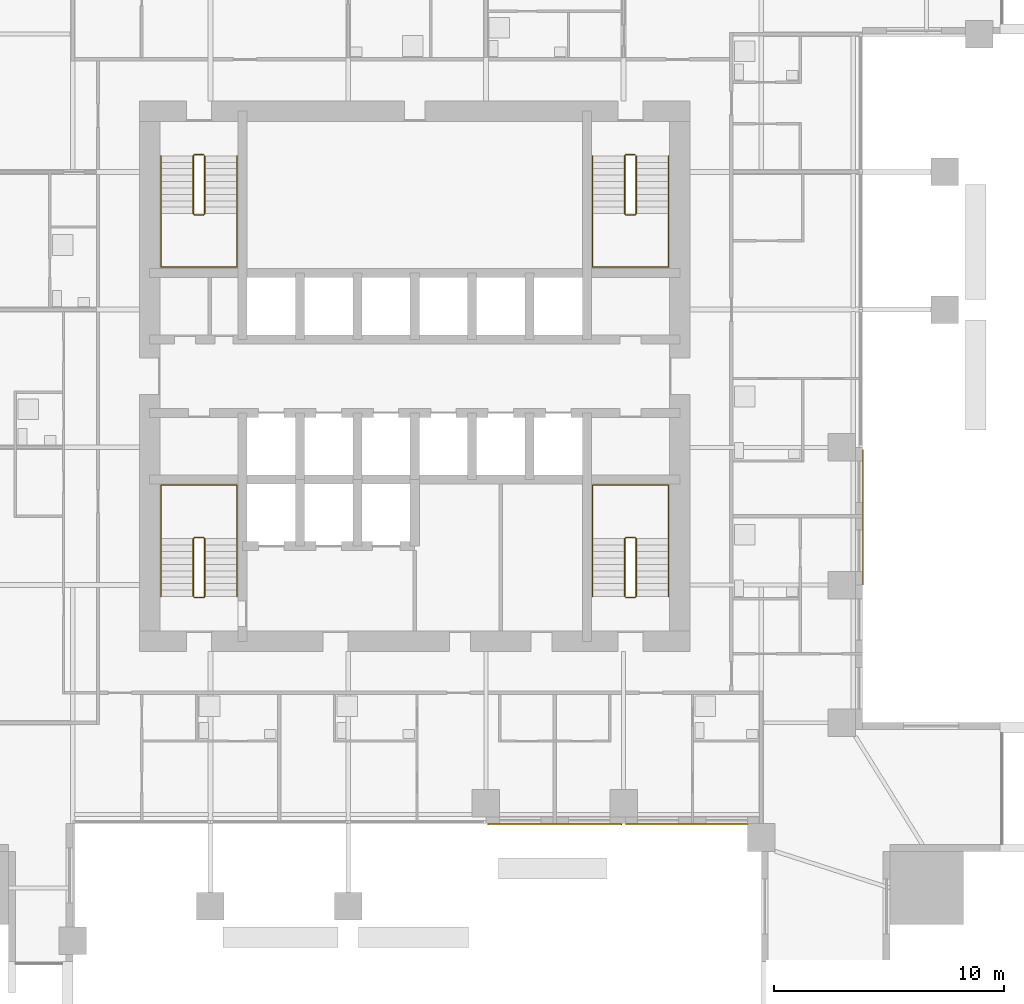
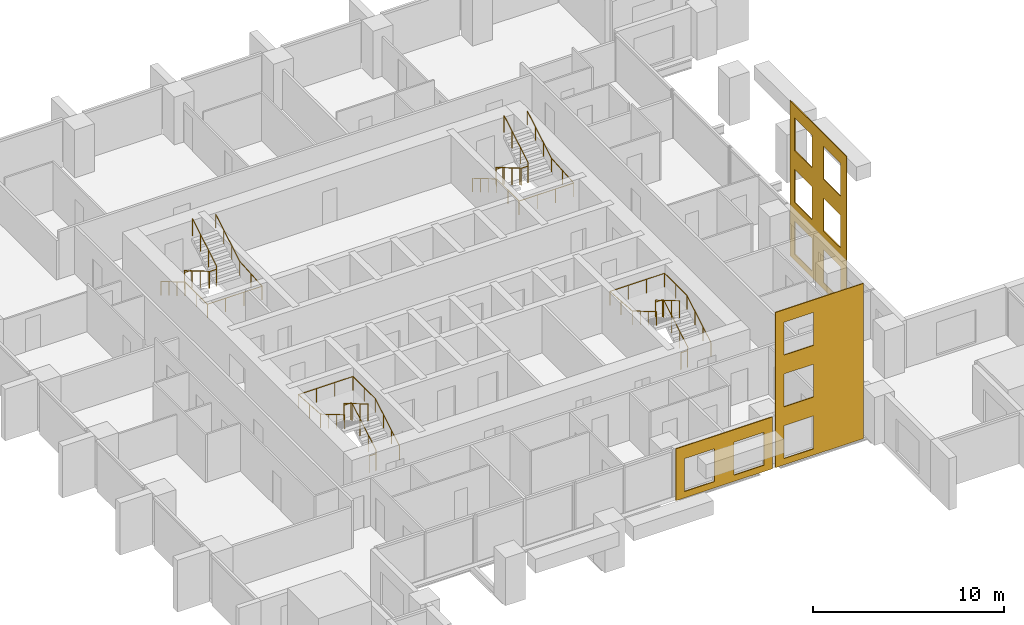
# One storey, part 12 of 13: 8 railings, 3 coverings.
"""IFC4 building model written with IfcOpenShell, lengths in metres."""

from ifc_helpers import new_model, si_unit, direction, frame, origin, origin_2d, place, context, subcontext, project, spatial, polyline, circle, outline, extrude, material, layer, layer_set, type_object, element, save


model = new_model("IFC4")

# Units and contexts
model_context = context("Model", 3, precision=1e-05, world=origin(), true_north=direction((0.0, 1.0)))
body_context = subcontext(model_context, "Body", "Model", "MODEL_VIEW")
ifc_project = project(units=[si_unit("LENGTHUNIT", "METRE"), si_unit("AREAUNIT", "SQUARE_METRE"), si_unit("VOLUMEUNIT", "CUBIC_METRE"), si_unit("PLANEANGLEUNIT", "RADIAN"), si_unit("MASSUNIT", "GRAM", prefix="KILO")], contexts=[model_context])

# Site, building, storey
site_placement = place(None, origin())
site = spatial("IfcSite", under=ifc_project, at=site_placement, CompositionType="ELEMENT")
building_placement = place(site_placement, origin())
building = spatial("IfcBuilding", under=site, at=building_placement, Name="Amberfall Residences", CompositionType="ELEMENT")
storey_placement = place(building_placement, frame((0.0, 0.0, 56.5)))
storey = spatial("IfcBuildingStorey", under=building, at=storey_placement, Name="L15", CompositionType="ELEMENT", Elevation=56.5)

# Coverings
ifc_material_1 = material(Name="Pale limestone cladding", Category="masonry")
ifc_layer = layer(ifc_material_1, 0.050048828125)
ifc_layer_set = layer_set([ifc_layer], Name="Limestone fascia 50")
covering_type = type_object("IfcCoveringType", Name="Limestone fascia 50", PredefinedType="CLADDING", material=ifc_layer_set)
covering_1_placement = place(storey_placement, frame((77.68994140625, 26.0, 3.050048828125), z_axis=(0.0, 1.0, 0.0), x_axis=(1.0, 0.0, 0.0)))
element("IfcCovering", 1, at=covering_1_placement, inside=storey, type_object=covering_type, Name="Pale limestone cladding L15 S", PredefinedType="CLADDING", context=body_context, shape_type="SweptSolid", body=[
    extrude(outline(polyline([(0.0, 0.0), (5.820068359375, 0.0), (5.820068359375, 3.300048828125), (0.0, 3.300048828125), (0.0, 0.0)]), holes=[polyline([(0.510009765625, 0.800048828125), (2.31005859375, 0.800048828125), (2.31005859375, 2.900146484375), (0.510009765625, 2.900146484375), (0.510009765625, 0.800048828125)]), polyline([(3.510009765625, 0.800048828125), (5.31005859375, 0.800048828125), (5.31005859375, 2.900146484375), (3.510009765625, 2.900146484375), (3.510009765625, 0.800048828125)])]), origin(), (0.0, 0.0, -1.0), 0.050048828125),
])
covering_2_placement = place(storey_placement, frame((94.0, 36.39990234375, 9.64990234375), z_axis=(-1.0, 0.0, 0.0), x_axis=(0.0, 1.0, 0.0)))
element("IfcCovering", 2, at=covering_2_placement, inside=storey, type_object=covering_type, Name="Pale limestone cladding L15-L17 E", PredefinedType="CLADDING", context=body_context, shape_type="SweptSolid", body=[
    extrude(outline(polyline([(0.0, 0.0), (5.91015625, 0.0), (5.91015625, 9.89990234375), (0.0, 9.89990234375), (0.0, 0.0)]), holes=[polyline([(0.60009765625, 7.39990234375), (2.400146484375, 7.39990234375), (2.400146484375, 9.5), (0.60009765625, 9.5), (0.60009765625, 7.39990234375)]), polyline([(3.60009765625, 7.39990234375), (5.400146484375, 7.39990234375), (5.400146484375, 9.5), (3.60009765625, 9.5), (3.60009765625, 7.39990234375)]), polyline([(0.60009765625, 4.099853515625), (2.400146484375, 4.099853515625), (2.400146484375, 6.199951171875), (0.60009765625, 6.199951171875), (0.60009765625, 4.099853515625)]), polyline([(3.60009765625, 4.099853515625), (5.400146484375, 4.099853515625), (5.400146484375, 6.199951171875), (3.60009765625, 6.199951171875), (3.60009765625, 4.099853515625)]), polyline([(0.60009765625, 0.7998046875), (2.400146484375, 0.7998046875), (2.400146484375, 2.89990234375), (0.60009765625, 2.89990234375), (0.60009765625, 0.7998046875)]), polyline([(3.60009765625, 0.7998046875), (5.400146484375, 0.7998046875), (5.400146484375, 2.89990234375), (3.60009765625, 2.89990234375), (3.60009765625, 0.7998046875)])]), origin(), (0.0, 0.0, -1.0), 0.050048828125),
])
covering_3_placement = place(storey_placement, frame((83.68994140625, 26.0, 9.64990234375), z_axis=(0.0, 1.0, 0.0), x_axis=(1.0, 0.0, 0.0)))
element("IfcCovering", 3, at=covering_3_placement, inside=storey, type_object=covering_type, Name="Pale limestone cladding L15-L17 S", PredefinedType="CLADDING", context=body_context, shape_type="SweptSolid", body=[
    extrude(outline(polyline([(0.0, 0.0), (5.30810546875, 0.0), (5.30810546875, 9.89990234375), (0.0, 9.89990234375), (0.0, 0.0)]), holes=[polyline([(0.510009765625, 7.39990234375), (2.31005859375, 7.39990234375), (2.31005859375, 9.5), (0.510009765625, 9.5), (0.510009765625, 7.39990234375)]), polyline([(0.510009765625, 4.099853515625), (2.31005859375, 4.099853515625), (2.31005859375, 6.199951171875), (0.510009765625, 6.199951171875), (0.510009765625, 4.099853515625)]), polyline([(0.510009765625, 0.7998046875), (2.31005859375, 0.7998046875), (2.31005859375, 2.89990234375), (0.510009765625, 2.89990234375), (0.510009765625, 0.7998046875)])]), origin(), (0.0, 0.0, -1.0), 0.050048828125),
])

# Railings
ifc_material_2 = material(Name="Stainless steel 316", Category="steel")
railing_type_1 = type_object("IfcRailingType", Name="Stair guard 1100", PredefinedType="GUARDRAIL", material=ifc_material_2)
railing_1_placement = place(storey_placement, frame((64.89990234375, 35.85009765625, 0.0)))
element("IfcRailing", 4, at=railing_1_placement, inside=storey, type_object=railing_type_1, Name="L15 stair 1 guard", PredefinedType="GUARDRAIL", context=body_context, shape_type="SweptSolid", body=[
    extrude(circle(Radius=0.02392578125, at=origin_2d()), frame((0.0, 0.0, 1.076171875), z_axis=(1.0, 0.0, 0.0), x_axis=(0.0, 1.0, 0.0)), (0.0, 0.0, 1.0), 0.400146484375),
    extrude(circle(Radius=0.02392578125, at=origin_2d()), frame((0.400146484375, 0.0, 1.076171875), z_axis=(0.278810427259, 0.277450376394, 0.919394384522), x_axis=(-0.705375805398, 0.708833529934, 0.0)), (0.0, 0.0, 1.0), 0.179443359375),
    extrude(circle(Radius=0.02392578125, at=origin_2d()), frame((0.4501953125, 0.0498046875, 1.2412109375), z_axis=(0.0, 0.861560626758, 0.507654692109), x_axis=(-1.0, 0.0, 0.0)), (0.0, 0.0, 1.0), 2.925048828125),
    extrude(circle(Radius=0.02392578125, at=origin_2d()), frame((0.4501953125, 2.56982421875, 2.72607421875), z_axis=(-0.707106781187, 0.707106781187, 0.0), x_axis=(-0.707106781187, -0.707106781187, 0.0)), (0.0, 0.0, 1.0), 0.07080078125),
    extrude(circle(Radius=0.02392578125, at=origin_2d()), frame((0.400146484375, 2.619873046875, 2.72607421875), z_axis=(-1.0, 0.0, 0.0), x_axis=(0.0, -1.0, 0.0)), (0.0, 0.0, 1.0), 0.400146484375),
    extrude(circle(Radius=0.02392578125, at=origin_2d()), frame((0.0, 2.619873046875, 2.72607421875), z_axis=(-0.277450376394, -0.278810427259, 0.919394384522), x_axis=(0.708833529934, -0.705375805398, 0.0)), (0.0, 0.0, 1.0), 0.179443359375),
    extrude(circle(Radius=0.02392578125, at=origin_2d()), frame((-0.0498046875, 2.56982421875, 2.89111328125), z_axis=(0.0, -0.86152411907, 0.507716645641), x_axis=(1.0, 0.0, 0.0)), (0.0, 0.0, 1.0), 2.925048828125),
    extrude(circle(Radius=0.02099609375, at=origin_2d()), origin(), (0.0, 0.0, 1.0), 1.052001953125),
    extrude(circle(Radius=0.02099609375, at=origin_2d()), frame((0.400146484375, 0.0, 0.0)), (0.0, 0.0, 1.0), 1.052001953125),
    extrude(circle(Radius=0.02099609375, at=origin_2d()), frame((0.4501953125, 0.0498046875, 0.1650390625)), (0.0, 0.0, 1.0), 1.052001953125),
    extrude(circle(Radius=0.02099609375, at=origin_2d()), frame((0.4501953125, 0.889892578125, 0.659912109375)), (0.0, 0.0, 1.0), 1.052001953125),
    extrude(circle(Radius=0.02099609375, at=origin_2d()), frame((0.4501953125, 1.729736328125, 1.155029296875)), (0.0, 0.0, 1.0), 1.052001953125),
    extrude(circle(Radius=0.02099609375, at=origin_2d()), frame((0.4501953125, 2.56982421875, 1.64990234375)), (0.0, 0.0, 1.0), 1.052001953125),
    extrude(circle(Radius=0.02099609375, at=origin_2d()), frame((0.400146484375, 2.619873046875, 1.64990234375)), (0.0, 0.0, 1.0), 1.052001953125),
    extrude(circle(Radius=0.02099609375, at=origin_2d()), frame((0.0, 2.619873046875, 1.64990234375)), (0.0, 0.0, 1.0), 1.052001953125),
    extrude(circle(Radius=0.02099609375, at=origin_2d()), frame((-0.0498046875, 2.56982421875, 1.81494140625)), (0.0, 0.0, 1.0), 1.052001953125),
    extrude(circle(Radius=0.02099609375, at=origin_2d()), frame((-0.0498046875, 1.729736328125, 2.31005859375)), (0.0, 0.0, 1.0), 1.052001953125),
    extrude(circle(Radius=0.02099609375, at=origin_2d()), frame((-0.0498046875, 0.889892578125, 2.804931640625)), (0.0, 0.0, 1.0), 1.052001953125),
    extrude(circle(Radius=0.02099609375, at=origin_2d()), frame((-0.0498046875, 0.0498046875, 3.300048828125)), (0.0, 0.0, 1.0), 1.052001953125),
])
railing_2_placement = place(storey_placement, frame((83.699951171875, 35.85009765625, 0.0)))
element("IfcRailing", 5, at=railing_2_placement, inside=storey, type_object=railing_type_1, Name="L15 stair 2 guard", PredefinedType="GUARDRAIL", context=body_context, shape_type="SweptSolid", body=[
    extrude(circle(Radius=0.02392578125, at=origin_2d()), frame((0.0, 0.0, 1.076171875), z_axis=(1.0, 0.0, 0.0), x_axis=(0.0, 1.0, 0.0)), (0.0, 0.0, 1.0), 0.400146484375),
    extrude(circle(Radius=0.02392578125, at=origin_2d()), frame((0.400146484375, 0.0, 1.076171875), z_axis=(0.27755538755, 0.27755538755, 0.919742362667), x_axis=(-0.707106781187, 0.707106781187, 0.0)), (0.0, 0.0, 1.0), 0.179443359375),
    extrude(circle(Radius=0.02392578125, at=origin_2d()), frame((0.449951171875, 0.0498046875, 1.2412109375), z_axis=(0.0, 0.861560626758, 0.507654692109), x_axis=(-1.0, 0.0, 0.0)), (0.0, 0.0, 1.0), 2.925048828125),
    extrude(circle(Radius=0.02392578125, at=origin_2d()), frame((0.449951171875, 2.56982421875, 2.72607421875), z_axis=(-0.705375805398, 0.708833529934, 0.0), x_axis=(-0.708833529934, -0.705375805398, 0.0)), (0.0, 0.0, 1.0), 0.070556640625),
    extrude(circle(Radius=0.02392578125, at=origin_2d()), frame((0.400146484375, 2.619873046875, 2.72607421875), z_axis=(-1.0, 0.0, 0.0), x_axis=(0.0, -1.0, 0.0)), (0.0, 0.0, 1.0), 0.400146484375),
    extrude(circle(Radius=0.02392578125, at=origin_2d()), frame((0.0, 2.619873046875, 2.72607421875), z_axis=(-0.278705021027, -0.278705021027, 0.919046801044), x_axis=(0.707106781187, -0.707106781187, 0.0)), (0.0, 0.0, 1.0), 0.1796875),
    extrude(circle(Radius=0.02392578125, at=origin_2d()), frame((-0.050048828125, 2.56982421875, 2.89111328125), z_axis=(0.0, -0.86152411907, 0.507716645641), x_axis=(1.0, 0.0, 0.0)), (0.0, 0.0, 1.0), 2.925048828125),
    extrude(circle(Radius=0.02099609375, at=origin_2d()), origin(), (0.0, 0.0, 1.0), 1.052001953125),
    extrude(circle(Radius=0.02099609375, at=origin_2d()), frame((0.400146484375, 0.0, 0.0)), (0.0, 0.0, 1.0), 1.052001953125),
    extrude(circle(Radius=0.02099609375, at=origin_2d()), frame((0.449951171875, 0.0498046875, 0.1650390625)), (0.0, 0.0, 1.0), 1.052001953125),
    extrude(circle(Radius=0.02099609375, at=origin_2d()), frame((0.449951171875, 0.889892578125, 0.659912109375)), (0.0, 0.0, 1.0), 1.052001953125),
    extrude(circle(Radius=0.02099609375, at=origin_2d()), frame((0.449951171875, 1.729736328125, 1.155029296875)), (0.0, 0.0, 1.0), 1.052001953125),
    extrude(circle(Radius=0.02099609375, at=origin_2d()), frame((0.449951171875, 2.56982421875, 1.64990234375)), (0.0, 0.0, 1.0), 1.052001953125),
    extrude(circle(Radius=0.02099609375, at=origin_2d()), frame((0.400146484375, 2.619873046875, 1.64990234375)), (0.0, 0.0, 1.0), 1.052001953125),
    extrude(circle(Radius=0.02099609375, at=origin_2d()), frame((0.0, 2.619873046875, 1.64990234375)), (0.0, 0.0, 1.0), 1.052001953125),
    extrude(circle(Radius=0.02099609375, at=origin_2d()), frame((-0.050048828125, 2.56982421875, 1.81494140625)), (0.0, 0.0, 1.0), 1.052001953125),
    extrude(circle(Radius=0.02099609375, at=origin_2d()), frame((-0.050048828125, 1.729736328125, 2.31005859375)), (0.0, 0.0, 1.0), 1.052001953125),
    extrude(circle(Radius=0.02099609375, at=origin_2d()), frame((-0.050048828125, 0.889892578125, 2.804931640625)), (0.0, 0.0, 1.0), 1.052001953125),
    extrude(circle(Radius=0.02099609375, at=origin_2d()), frame((-0.050048828125, 0.0498046875, 3.300048828125)), (0.0, 0.0, 1.0), 1.052001953125),
])
railing_3_placement = place(storey_placement, frame((84.10009765625, 55.14990234375, 0.0)))
element("IfcRailing", 6, at=railing_3_placement, inside=storey, type_object=railing_type_1, Name="L15 stair 3 guard", PredefinedType="GUARDRAIL", context=body_context, shape_type="SweptSolid", body=[
    extrude(circle(Radius=0.02392578125, at=origin_2d()), frame((0.0, 0.0, 1.076171875), z_axis=(-1.0, 0.0, 0.0), x_axis=(0.0, -1.0, 0.0)), (0.0, 0.0, 1.0), 0.400146484375),
    extrude(circle(Radius=0.02392578125, at=origin_2d()), frame((-0.400146484375, 0.0, 1.076171875), z_axis=(-0.278810427259, -0.277450376394, 0.919394384522), x_axis=(0.705375805398, -0.708833529934, 0.0)), (0.0, 0.0, 1.0), 0.179443359375),
    extrude(circle(Radius=0.02392578125, at=origin_2d()), frame((-0.4501953125, -0.0498046875, 1.2412109375), z_axis=(0.0, -0.861560626758, 0.507654692109), x_axis=(1.0, 0.0, 0.0)), (0.0, 0.0, 1.0), 2.925048828125),
    extrude(circle(Radius=0.02392578125, at=origin_2d()), frame((-0.4501953125, -2.56982421875, 2.72607421875), z_axis=(0.707106781187, -0.707106781187, 0.0), x_axis=(0.707106781187, 0.707106781187, 0.0)), (0.0, 0.0, 1.0), 0.07080078125),
    extrude(circle(Radius=0.02392578125, at=origin_2d()), frame((-0.400146484375, -2.619873046875, 2.72607421875), z_axis=(1.0, 0.0, 0.0), x_axis=(0.0, 1.0, 0.0)), (0.0, 0.0, 1.0), 0.400146484375),
    extrude(circle(Radius=0.02392578125, at=origin_2d()), frame((0.0, -2.619873046875, 2.72607421875), z_axis=(0.277450376394, 0.278810427259, 0.919394384522), x_axis=(-0.708833529934, 0.705375805398, 0.0)), (0.0, 0.0, 1.0), 0.179443359375),
    extrude(circle(Radius=0.02392578125, at=origin_2d()), frame((0.0498046875, -2.56982421875, 2.89111328125), z_axis=(0.0, 0.86152411907, 0.507716645641), x_axis=(-1.0, 0.0, 0.0)), (0.0, 0.0, 1.0), 2.925048828125),
    extrude(circle(Radius=0.02099609375, at=origin_2d()), origin(), (0.0, 0.0, 1.0), 1.052001953125),
    extrude(circle(Radius=0.02099609375, at=origin_2d()), frame((-0.400146484375, 0.0, 0.0)), (0.0, 0.0, 1.0), 1.052001953125),
    extrude(circle(Radius=0.02099609375, at=origin_2d()), frame((-0.4501953125, -0.0498046875, 0.1650390625)), (0.0, 0.0, 1.0), 1.052001953125),
    extrude(circle(Radius=0.02099609375, at=origin_2d()), frame((-0.4501953125, -0.889892578125, 0.659912109375)), (0.0, 0.0, 1.0), 1.052001953125),
    extrude(circle(Radius=0.02099609375, at=origin_2d()), frame((-0.4501953125, -1.729736328125, 1.155029296875)), (0.0, 0.0, 1.0), 1.052001953125),
    extrude(circle(Radius=0.02099609375, at=origin_2d()), frame((-0.4501953125, -2.56982421875, 1.64990234375)), (0.0, 0.0, 1.0), 1.052001953125),
    extrude(circle(Radius=0.02099609375, at=origin_2d()), frame((-0.400146484375, -2.619873046875, 1.64990234375)), (0.0, 0.0, 1.0), 1.052001953125),
    extrude(circle(Radius=0.02099609375, at=origin_2d()), frame((0.0, -2.619873046875, 1.64990234375)), (0.0, 0.0, 1.0), 1.052001953125),
    extrude(circle(Radius=0.02099609375, at=origin_2d()), frame((0.0498046875, -2.56982421875, 1.81494140625)), (0.0, 0.0, 1.0), 1.052001953125),
    extrude(circle(Radius=0.02099609375, at=origin_2d()), frame((0.0498046875, -1.729736328125, 2.31005859375)), (0.0, 0.0, 1.0), 1.052001953125),
    extrude(circle(Radius=0.02099609375, at=origin_2d()), frame((0.0498046875, -0.889892578125, 2.804931640625)), (0.0, 0.0, 1.0), 1.052001953125),
    extrude(circle(Radius=0.02099609375, at=origin_2d()), frame((0.0498046875, -0.0498046875, 3.300048828125)), (0.0, 0.0, 1.0), 1.052001953125),
])
railing_4_placement = place(storey_placement, frame((65.300048828125, 55.14990234375, 0.0)))
element("IfcRailing", 7, at=railing_4_placement, inside=storey, type_object=railing_type_1, Name="L15 stair 4 guard", PredefinedType="GUARDRAIL", context=body_context, shape_type="SweptSolid", body=[
    extrude(circle(Radius=0.02392578125, at=origin_2d()), frame((0.0, 0.0, 1.076171875), z_axis=(-1.0, 0.0, 0.0), x_axis=(0.0, -1.0, 0.0)), (0.0, 0.0, 1.0), 0.400146484375),
    extrude(circle(Radius=0.02392578125, at=origin_2d()), frame((-0.400146484375, 0.0, 1.076171875), z_axis=(-0.27755538755, -0.27755538755, 0.919742362667), x_axis=(0.707106781187, -0.707106781187, 0.0)), (0.0, 0.0, 1.0), 0.179443359375),
    extrude(circle(Radius=0.02392578125, at=origin_2d()), frame((-0.449951171875, -0.0498046875, 1.2412109375), z_axis=(0.0, -0.861560626758, 0.507654692109), x_axis=(1.0, 0.0, 0.0)), (0.0, 0.0, 1.0), 2.925048828125),
    extrude(circle(Radius=0.02392578125, at=origin_2d()), frame((-0.449951171875, -2.56982421875, 2.72607421875), z_axis=(0.705375805398, -0.708833529934, 0.0), x_axis=(0.708833529934, 0.705375805398, 0.0)), (0.0, 0.0, 1.0), 0.070556640625),
    extrude(circle(Radius=0.02392578125, at=origin_2d()), frame((-0.400146484375, -2.619873046875, 2.72607421875), z_axis=(1.0, 0.0, 0.0), x_axis=(0.0, 1.0, 0.0)), (0.0, 0.0, 1.0), 0.400146484375),
    extrude(circle(Radius=0.02392578125, at=origin_2d()), frame((0.0, -2.619873046875, 2.72607421875), z_axis=(0.278705021027, 0.278705021027, 0.919046801044), x_axis=(-0.707106781187, 0.707106781187, 0.0)), (0.0, 0.0, 1.0), 0.1796875),
    extrude(circle(Radius=0.02392578125, at=origin_2d()), frame((0.050048828125, -2.56982421875, 2.89111328125), z_axis=(0.0, 0.86152411907, 0.507716645641), x_axis=(-1.0, 0.0, 0.0)), (0.0, 0.0, 1.0), 2.925048828125),
    extrude(circle(Radius=0.02099609375, at=origin_2d()), origin(), (0.0, 0.0, 1.0), 1.052001953125),
    extrude(circle(Radius=0.02099609375, at=origin_2d()), frame((-0.400146484375, 0.0, 0.0)), (0.0, 0.0, 1.0), 1.052001953125),
    extrude(circle(Radius=0.02099609375, at=origin_2d()), frame((-0.449951171875, -0.0498046875, 0.1650390625)), (0.0, 0.0, 1.0), 1.052001953125),
    extrude(circle(Radius=0.02099609375, at=origin_2d()), frame((-0.449951171875, -0.889892578125, 0.659912109375)), (0.0, 0.0, 1.0), 1.052001953125),
    extrude(circle(Radius=0.02099609375, at=origin_2d()), frame((-0.449951171875, -1.729736328125, 1.155029296875)), (0.0, 0.0, 1.0), 1.052001953125),
    extrude(circle(Radius=0.02099609375, at=origin_2d()), frame((-0.449951171875, -2.56982421875, 1.64990234375)), (0.0, 0.0, 1.0), 1.052001953125),
    extrude(circle(Radius=0.02099609375, at=origin_2d()), frame((-0.400146484375, -2.619873046875, 1.64990234375)), (0.0, 0.0, 1.0), 1.052001953125),
    extrude(circle(Radius=0.02099609375, at=origin_2d()), frame((0.0, -2.619873046875, 1.64990234375)), (0.0, 0.0, 1.0), 1.052001953125),
    extrude(circle(Radius=0.02099609375, at=origin_2d()), frame((0.050048828125, -2.56982421875, 1.81494140625)), (0.0, 0.0, 1.0), 1.052001953125),
    extrude(circle(Radius=0.02099609375, at=origin_2d()), frame((0.050048828125, -1.729736328125, 2.31005859375)), (0.0, 0.0, 1.0), 1.052001953125),
    extrude(circle(Radius=0.02099609375, at=origin_2d()), frame((0.050048828125, -0.889892578125, 2.804931640625)), (0.0, 0.0, 1.0), 1.052001953125),
    extrude(circle(Radius=0.02099609375, at=origin_2d()), frame((0.050048828125, -0.0498046875, 3.300048828125)), (0.0, 0.0, 1.0), 1.052001953125),
])
railing_type_2 = type_object("IfcRailingType", Name="Stair handrail 900", PredefinedType="HANDRAIL", material=ifc_material_2)
railing_5_placement = place(storey_placement, frame((66.75, 35.89990234375, 0.1650390625)))
element("IfcRailing", 8, at=railing_5_placement, inside=storey, type_object=railing_type_2, Name="L15 stair 1 handrail", PredefinedType="HANDRAIL", context=body_context, shape_type="SweptSolid", body=[
    extrude(circle(Radius=0.02392578125, at=origin_2d()), frame((0.0, 0.0, 0.8759765625), z_axis=(0.0, 0.861560626758, 0.507654692109), x_axis=(-1.0, 0.0, 0.0)), (0.0, 0.0, 1.0), 2.925048828125),
    extrude(circle(Radius=0.02392578125, at=origin_2d()), frame((0.0, 2.52001953125, 2.36083984375), z_axis=(0.0, 1.0, 0.0), x_axis=(-1.0, 0.0, 0.0)), (0.0, 0.0, 1.0), 2.330078125),
    extrude(circle(Radius=0.02392578125, at=origin_2d()), frame((0.0, 4.85009765625, 2.36083984375), z_axis=(-1.0, 0.0, 0.0), x_axis=(0.0, -1.0, 0.0)), (0.0, 0.0, 1.0), 3.300048828125),
    extrude(circle(Radius=0.02392578125, at=origin_2d()), frame((-3.300048828125, 4.85009765625, 2.36083984375), z_axis=(0.0, -0.997500965899, 0.07065283455), x_axis=(1.0, 0.0, 0.0)), (0.0, 0.0, 1.0), 2.3359375),
    extrude(circle(Radius=0.02392578125, at=origin_2d()), frame((-3.300048828125, 2.52001953125, 2.52587890625), z_axis=(0.0, -0.86152411907, 0.507716645641), x_axis=(1.0, 0.0, 0.0)), (0.0, 0.0, 1.0), 2.925048828125),
    extrude(circle(Radius=0.02099609375, at=origin_2d()), origin(), (0.0, 0.0, 1.0), 0.851806640625),
    extrude(circle(Radius=0.02099609375, at=origin_2d()), frame((0.0, 0.840087890625, 0.494873046875)), (0.0, 0.0, 1.0), 0.851806640625),
    extrude(circle(Radius=0.02099609375, at=origin_2d()), frame((0.0, 1.679931640625, 0.989990234375)), (0.0, 0.0, 1.0), 0.851806640625),
    extrude(circle(Radius=0.02099609375, at=origin_2d()), frame((0.0, 2.52001953125, 1.48486328125)), (0.0, 0.0, 1.0), 0.851806640625),
    extrude(circle(Radius=0.02099609375, at=origin_2d()), frame((0.0, 3.68505859375, 1.48486328125)), (0.0, 0.0, 1.0), 0.851806640625),
    extrude(circle(Radius=0.02099609375, at=origin_2d()), frame((0.0, 4.85009765625, 1.48486328125)), (0.0, 0.0, 1.0), 0.851806640625),
    extrude(circle(Radius=0.02099609375, at=origin_2d()), frame((-1.10009765625, 4.85009765625, 1.48486328125)), (0.0, 0.0, 1.0), 0.851806640625),
    extrude(circle(Radius=0.02099609375, at=origin_2d()), frame((-2.199951171875, 4.85009765625, 1.48486328125)), (0.0, 0.0, 1.0), 0.851806640625),
    extrude(circle(Radius=0.02099609375, at=origin_2d()), frame((-3.300048828125, 4.85009765625, 1.48486328125)), (0.0, 0.0, 1.0), 0.851806640625),
    extrude(circle(Radius=0.02099609375, at=origin_2d()), frame((-3.300048828125, 3.68505859375, 1.5673828125)), (0.0, 0.0, 1.0), 0.851806640625),
    extrude(circle(Radius=0.02099609375, at=origin_2d()), frame((-3.300048828125, 2.52001953125, 1.64990234375)), (0.0, 0.0, 1.0), 0.851806640625),
    extrude(circle(Radius=0.02099609375, at=origin_2d()), frame((-3.300048828125, 1.679931640625, 2.14501953125)), (0.0, 0.0, 1.0), 0.851806640625),
    extrude(circle(Radius=0.02099609375, at=origin_2d()), frame((-3.300048828125, 0.840087890625, 2.639892578125)), (0.0, 0.0, 1.0), 0.851806640625),
    extrude(circle(Radius=0.02099609375, at=origin_2d()), frame((-3.300048828125, 0.0, 3.135009765625)), (0.0, 0.0, 1.0), 0.851806640625),
])
railing_6_placement = place(storey_placement, frame((85.550048828125, 35.89990234375, 0.1650390625)))
element("IfcRailing", 9, at=railing_6_placement, inside=storey, type_object=railing_type_2, Name="L15 stair 2 handrail", PredefinedType="HANDRAIL", context=body_context, shape_type="SweptSolid", body=[
    extrude(circle(Radius=0.02392578125, at=origin_2d()), frame((0.0, 0.0, 0.8759765625), z_axis=(0.0, 0.861560626758, 0.507654692109), x_axis=(-1.0, 0.0, 0.0)), (0.0, 0.0, 1.0), 2.925048828125),
    extrude(circle(Radius=0.02392578125, at=origin_2d()), frame((0.0, 2.52001953125, 2.36083984375), z_axis=(0.0, 1.0, 0.0), x_axis=(-1.0, 0.0, 0.0)), (0.0, 0.0, 1.0), 2.330078125),
    extrude(circle(Radius=0.02392578125, at=origin_2d()), frame((0.0, 4.85009765625, 2.36083984375), z_axis=(-1.0, 0.0, 0.0), x_axis=(0.0, -1.0, 0.0)), (0.0, 0.0, 1.0), 3.300048828125),
    extrude(circle(Radius=0.02392578125, at=origin_2d()), frame((-3.300048828125, 4.85009765625, 2.36083984375), z_axis=(0.0, -0.997500965899, 0.07065283455), x_axis=(1.0, 0.0, 0.0)), (0.0, 0.0, 1.0), 2.3359375),
    extrude(circle(Radius=0.02392578125, at=origin_2d()), frame((-3.300048828125, 2.52001953125, 2.52587890625), z_axis=(0.0, -0.86152411907, 0.507716645641), x_axis=(1.0, 0.0, 0.0)), (0.0, 0.0, 1.0), 2.925048828125),
    extrude(circle(Radius=0.02099609375, at=origin_2d()), origin(), (0.0, 0.0, 1.0), 0.851806640625),
    extrude(circle(Radius=0.02099609375, at=origin_2d()), frame((0.0, 0.840087890625, 0.494873046875)), (0.0, 0.0, 1.0), 0.851806640625),
    extrude(circle(Radius=0.02099609375, at=origin_2d()), frame((0.0, 1.679931640625, 0.989990234375)), (0.0, 0.0, 1.0), 0.851806640625),
    extrude(circle(Radius=0.02099609375, at=origin_2d()), frame((0.0, 2.52001953125, 1.48486328125)), (0.0, 0.0, 1.0), 0.851806640625),
    extrude(circle(Radius=0.02099609375, at=origin_2d()), frame((0.0, 3.68505859375, 1.48486328125)), (0.0, 0.0, 1.0), 0.851806640625),
    extrude(circle(Radius=0.02099609375, at=origin_2d()), frame((0.0, 4.85009765625, 1.48486328125)), (0.0, 0.0, 1.0), 0.851806640625),
    extrude(circle(Radius=0.02099609375, at=origin_2d()), frame((-1.10009765625, 4.85009765625, 1.48486328125)), (0.0, 0.0, 1.0), 0.851806640625),
    extrude(circle(Radius=0.02099609375, at=origin_2d()), frame((-2.199951171875, 4.85009765625, 1.48486328125)), (0.0, 0.0, 1.0), 0.851806640625),
    extrude(circle(Radius=0.02099609375, at=origin_2d()), frame((-3.300048828125, 4.85009765625, 1.48486328125)), (0.0, 0.0, 1.0), 0.851806640625),
    extrude(circle(Radius=0.02099609375, at=origin_2d()), frame((-3.300048828125, 3.68505859375, 1.5673828125)), (0.0, 0.0, 1.0), 0.851806640625),
    extrude(circle(Radius=0.02099609375, at=origin_2d()), frame((-3.300048828125, 2.52001953125, 1.64990234375)), (0.0, 0.0, 1.0), 0.851806640625),
    extrude(circle(Radius=0.02099609375, at=origin_2d()), frame((-3.300048828125, 1.679931640625, 2.14501953125)), (0.0, 0.0, 1.0), 0.851806640625),
    extrude(circle(Radius=0.02099609375, at=origin_2d()), frame((-3.300048828125, 0.840087890625, 2.639892578125)), (0.0, 0.0, 1.0), 0.851806640625),
    extrude(circle(Radius=0.02099609375, at=origin_2d()), frame((-3.300048828125, 0.0, 3.135009765625)), (0.0, 0.0, 1.0), 0.851806640625),
])
railing_7_placement = place(storey_placement, frame((82.25, 55.10009765625, 0.1650390625)))
element("IfcRailing", 10, at=railing_7_placement, inside=storey, type_object=railing_type_2, Name="L15 stair 3 handrail", PredefinedType="HANDRAIL", context=body_context, shape_type="SweptSolid", body=[
    extrude(circle(Radius=0.02392578125, at=origin_2d()), frame((0.0, 0.0, 0.8759765625), z_axis=(0.0, -0.861560626758, 0.507654692109), x_axis=(1.0, 0.0, 0.0)), (0.0, 0.0, 1.0), 2.925048828125),
    extrude(circle(Radius=0.02392578125, at=origin_2d()), frame((0.0, -2.52001953125, 2.36083984375), z_axis=(0.0, -1.0, 0.0), x_axis=(1.0, 0.0, 0.0)), (0.0, 0.0, 1.0), 2.330078125),
    extrude(circle(Radius=0.02392578125, at=origin_2d()), frame((0.0, -4.85009765625, 2.36083984375), z_axis=(1.0, 0.0, 0.0), x_axis=(0.0, 1.0, 0.0)), (0.0, 0.0, 1.0), 3.300048828125),
    extrude(circle(Radius=0.02392578125, at=origin_2d()), frame((3.300048828125, -4.85009765625, 2.36083984375), z_axis=(0.0, 0.997500965899, 0.07065283455), x_axis=(-1.0, 0.0, 0.0)), (0.0, 0.0, 1.0), 2.3359375),
    extrude(circle(Radius=0.02392578125, at=origin_2d()), frame((3.300048828125, -2.52001953125, 2.52587890625), z_axis=(0.0, 0.86152411907, 0.507716645641), x_axis=(-1.0, 0.0, 0.0)), (0.0, 0.0, 1.0), 2.925048828125),
    extrude(circle(Radius=0.02099609375, at=origin_2d()), origin(), (0.0, 0.0, 1.0), 0.851806640625),
    extrude(circle(Radius=0.02099609375, at=origin_2d()), frame((0.0, -0.840087890625, 0.494873046875)), (0.0, 0.0, 1.0), 0.851806640625),
    extrude(circle(Radius=0.02099609375, at=origin_2d()), frame((0.0, -1.679931640625, 0.989990234375)), (0.0, 0.0, 1.0), 0.851806640625),
    extrude(circle(Radius=0.02099609375, at=origin_2d()), frame((0.0, -2.52001953125, 1.48486328125)), (0.0, 0.0, 1.0), 0.851806640625),
    extrude(circle(Radius=0.02099609375, at=origin_2d()), frame((0.0, -3.68505859375, 1.48486328125)), (0.0, 0.0, 1.0), 0.851806640625),
    extrude(circle(Radius=0.02099609375, at=origin_2d()), frame((0.0, -4.85009765625, 1.48486328125)), (0.0, 0.0, 1.0), 0.851806640625),
    extrude(circle(Radius=0.02099609375, at=origin_2d()), frame((1.10009765625, -4.85009765625, 1.48486328125)), (0.0, 0.0, 1.0), 0.851806640625),
    extrude(circle(Radius=0.02099609375, at=origin_2d()), frame((2.199951171875, -4.85009765625, 1.48486328125)), (0.0, 0.0, 1.0), 0.851806640625),
    extrude(circle(Radius=0.02099609375, at=origin_2d()), frame((3.300048828125, -4.85009765625, 1.48486328125)), (0.0, 0.0, 1.0), 0.851806640625),
    extrude(circle(Radius=0.02099609375, at=origin_2d()), frame((3.300048828125, -3.68505859375, 1.5673828125)), (0.0, 0.0, 1.0), 0.851806640625),
    extrude(circle(Radius=0.02099609375, at=origin_2d()), frame((3.300048828125, -2.52001953125, 1.64990234375)), (0.0, 0.0, 1.0), 0.851806640625),
    extrude(circle(Radius=0.02099609375, at=origin_2d()), frame((3.300048828125, -1.679931640625, 2.14501953125)), (0.0, 0.0, 1.0), 0.851806640625),
    extrude(circle(Radius=0.02099609375, at=origin_2d()), frame((3.300048828125, -0.840087890625, 2.639892578125)), (0.0, 0.0, 1.0), 0.851806640625),
    extrude(circle(Radius=0.02099609375, at=origin_2d()), frame((3.300048828125, 0.0, 3.135009765625)), (0.0, 0.0, 1.0), 0.851806640625),
])
railing_8_placement = place(storey_placement, frame((63.449951171875, 55.10009765625, 0.1650390625)))
element("IfcRailing", 11, at=railing_8_placement, inside=storey, type_object=railing_type_2, Name="L15 stair 4 handrail", PredefinedType="HANDRAIL", context=body_context, shape_type="SweptSolid", body=[
    extrude(circle(Radius=0.02392578125, at=origin_2d()), frame((0.0, 0.0, 0.8759765625), z_axis=(0.0, -0.861560626758, 0.507654692109), x_axis=(1.0, 0.0, 0.0)), (0.0, 0.0, 1.0), 2.925048828125),
    extrude(circle(Radius=0.02392578125, at=origin_2d()), frame((0.0, -2.52001953125, 2.36083984375), z_axis=(0.0, -1.0, 0.0), x_axis=(1.0, 0.0, 0.0)), (0.0, 0.0, 1.0), 2.330078125),
    extrude(circle(Radius=0.02392578125, at=origin_2d()), frame((0.0, -4.85009765625, 2.36083984375), z_axis=(1.0, 0.0, 0.0), x_axis=(0.0, 1.0, 0.0)), (0.0, 0.0, 1.0), 3.300048828125),
    extrude(circle(Radius=0.02392578125, at=origin_2d()), frame((3.300048828125, -4.85009765625, 2.36083984375), z_axis=(0.0, 0.997500965899, 0.07065283455), x_axis=(-1.0, 0.0, 0.0)), (0.0, 0.0, 1.0), 2.3359375),
    extrude(circle(Radius=0.02392578125, at=origin_2d()), frame((3.300048828125, -2.52001953125, 2.52587890625), z_axis=(0.0, 0.86152411907, 0.507716645641), x_axis=(-1.0, 0.0, 0.0)), (0.0, 0.0, 1.0), 2.925048828125),
    extrude(circle(Radius=0.02099609375, at=origin_2d()), origin(), (0.0, 0.0, 1.0), 0.851806640625),
    extrude(circle(Radius=0.02099609375, at=origin_2d()), frame((0.0, -0.840087890625, 0.494873046875)), (0.0, 0.0, 1.0), 0.851806640625),
    extrude(circle(Radius=0.02099609375, at=origin_2d()), frame((0.0, -1.679931640625, 0.989990234375)), (0.0, 0.0, 1.0), 0.851806640625),
    extrude(circle(Radius=0.02099609375, at=origin_2d()), frame((0.0, -2.52001953125, 1.48486328125)), (0.0, 0.0, 1.0), 0.851806640625),
    extrude(circle(Radius=0.02099609375, at=origin_2d()), frame((0.0, -3.68505859375, 1.48486328125)), (0.0, 0.0, 1.0), 0.851806640625),
    extrude(circle(Radius=0.02099609375, at=origin_2d()), frame((0.0, -4.85009765625, 1.48486328125)), (0.0, 0.0, 1.0), 0.851806640625),
    extrude(circle(Radius=0.02099609375, at=origin_2d()), frame((1.10009765625, -4.85009765625, 1.48486328125)), (0.0, 0.0, 1.0), 0.851806640625),
    extrude(circle(Radius=0.02099609375, at=origin_2d()), frame((2.199951171875, -4.85009765625, 1.48486328125)), (0.0, 0.0, 1.0), 0.851806640625),
    extrude(circle(Radius=0.02099609375, at=origin_2d()), frame((3.300048828125, -4.85009765625, 1.48486328125)), (0.0, 0.0, 1.0), 0.851806640625),
    extrude(circle(Radius=0.02099609375, at=origin_2d()), frame((3.300048828125, -3.68505859375, 1.5673828125)), (0.0, 0.0, 1.0), 0.851806640625),
    extrude(circle(Radius=0.02099609375, at=origin_2d()), frame((3.300048828125, -2.52001953125, 1.64990234375)), (0.0, 0.0, 1.0), 0.851806640625),
    extrude(circle(Radius=0.02099609375, at=origin_2d()), frame((3.300048828125, -1.679931640625, 2.14501953125)), (0.0, 0.0, 1.0), 0.851806640625),
    extrude(circle(Radius=0.02099609375, at=origin_2d()), frame((3.300048828125, -0.840087890625, 2.639892578125)), (0.0, 0.0, 1.0), 0.851806640625),
    extrude(circle(Radius=0.02099609375, at=origin_2d()), frame((3.300048828125, 0.0, 3.135009765625)), (0.0, 0.0, 1.0), 0.851806640625),
])

save(model, "model.ifc")
